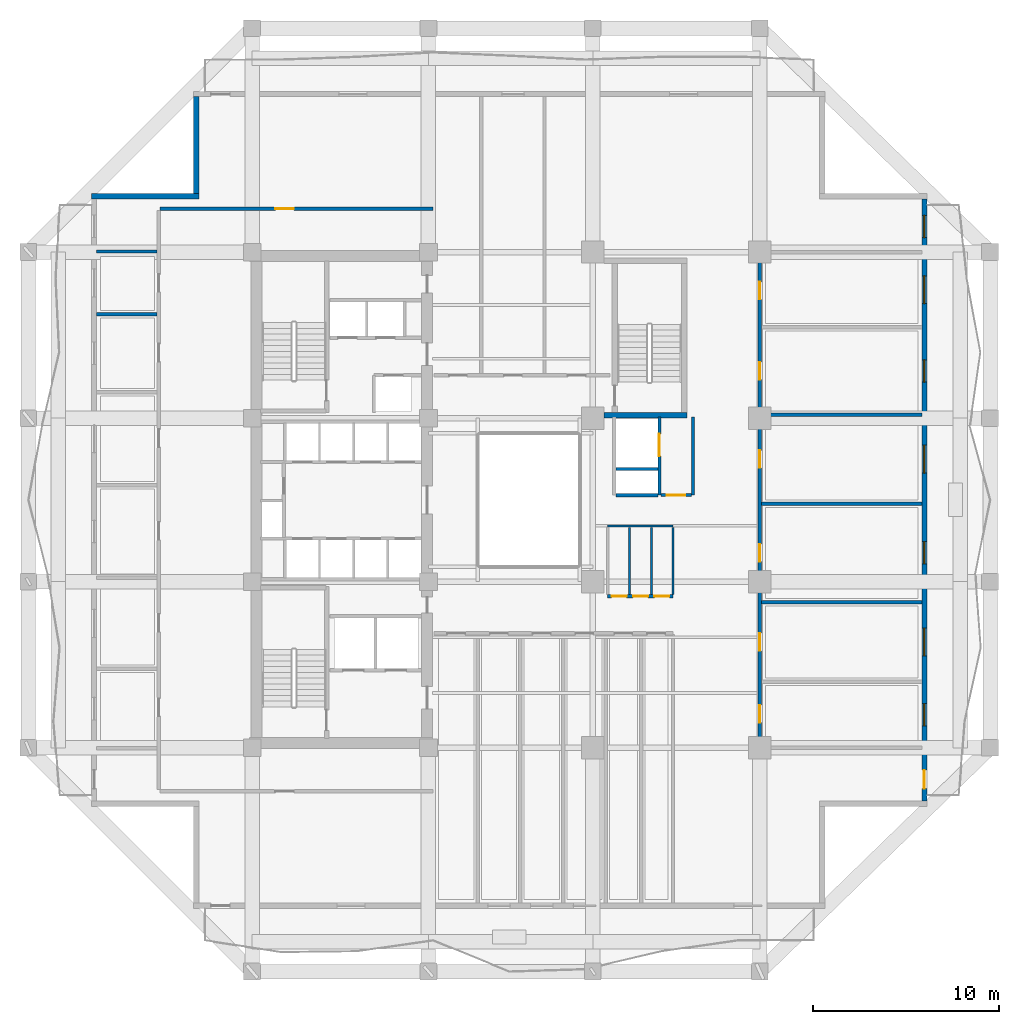
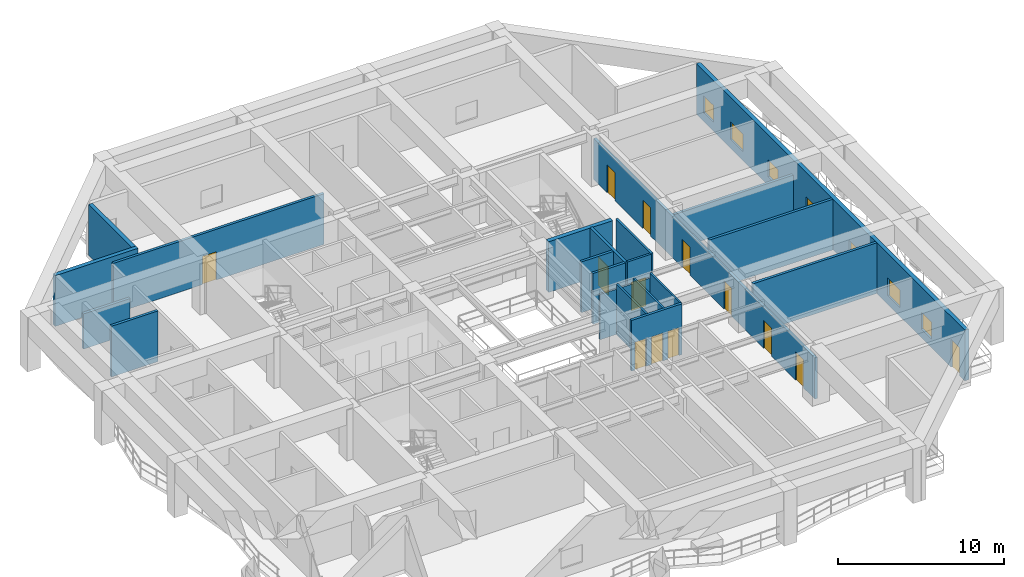
# One storey, part 5 of 13: 21 walls, 13 doors, 7 windows, 20 openings.
"""IFC4 building model written with IfcOpenShell, lengths in metres."""

import ifcopenshell
import ifcopenshell.guid

model = None  # the IFC model being written
_history = None  # IfcOwnerHistory: only IFC2X3 demands one
_inside = {}  # id of a spatial element -> (the spatial element, [elements in it])
_under = {}  # id of a project, library or spatial element -> (it, [spatial elements below it])
_declared = {}  # id of a project -> (the project, [libraries it declares])
_typed = {}  # id of a type object -> (the type object, [elements of that type])
_made_of = {}  # id of a material, layer set ... -> (it, [elements and type objects made of it])


def new_model(schema):
    """Start an empty IFC model of exactly this schema.

    Asked for "IFC4X3", IfcOpenShell would pick the latest addendum, in which some entities
    have other attributes; the version numbers below select the first issue.
    IFC2X3 requires an IfcOwnerHistory on every rooted entity: one is made here for all.
    """
    global model, _history
    if schema == "IFC4X3":
        model = ifcopenshell.file(schema_version=(4, 3, 0, 0))
    else:
        model = ifcopenshell.file(schema=schema)
    _inside.clear()
    _under.clear()
    _declared.clear()
    _typed.clear()
    _made_of.clear()
    _history = None
    if model.schema == "IFC2X3":
        org = make("IfcOrganization", Name="unknown")
        user = make(
            "IfcPersonAndOrganization",
            ThePerson=make("IfcPerson", FamilyName="unknown"),
            TheOrganization=org,
        )
        app = make(
            "IfcApplication",
            ApplicationDeveloper=org,
            Version="unknown",
            ApplicationFullName="unknown",
            ApplicationIdentifier="unknown",
        )
        _history = make(
            "IfcOwnerHistory",
            OwningUser=user,
            OwningApplication=app,
            ChangeAction="ADDED",
            CreationDate=0,
        )
    return model


def make(cls, **values):
    """One entity of the class cls with the attributes given. An attribute that is None is left unset."""
    return model.create_entity(
        cls, **{name: value for name, value in values.items() if value is not None}
    )


def rooted(cls, **values):
    """An entity with a GlobalId (a new one), such as an element, a storey or a relation."""
    return make(cls, GlobalId=ifcopenshell.guid.new(), OwnerHistory=_history, **values)


def si_unit(unit_type, name, prefix=None):
    """IfcSIUnit, for example si_unit("LENGTHUNIT", "METRE", prefix="MILLI")."""
    return make("IfcSIUnit", UnitType=unit_type, Prefix=prefix, Name=name)


def assignment(units):
    """IfcUnitAssignment: the units of a project."""
    return None if units is None else make("IfcUnitAssignment", Units=units)


def point(xyz):
    """IfcCartesianPoint."""
    return None if xyz is None else make("IfcCartesianPoint", Coordinates=xyz)


def direction(xyz):
    """IfcDirection."""
    return None if xyz is None else make("IfcDirection", DirectionRatios=xyz)


def frame(location, z_axis=None, x_axis=None):
    """IfcAxis2Placement3D, a coordinate frame: its origin and axes. An axis left out is left unset."""
    return make(
        "IfcAxis2Placement3D",
        Location=point(location),
        Axis=direction(z_axis),
        RefDirection=direction(x_axis),
    )


def frame_2d(location, x_axis=None):
    """IfcAxis2Placement2D, a coordinate frame in the plane: its origin and x axis."""
    return make(
        "IfcAxis2Placement2D", Location=point(location), RefDirection=direction(x_axis)
    )


def origin():
    """The frame at (0, 0, 0) with its axes left unset."""
    return frame((0.0, 0.0, 0.0))


def place(relative_to, where):
    """IfcLocalPlacement: puts the frame where relative to a parent placement (None: the world)."""
    return make(
        "IfcLocalPlacement", PlacementRelTo=relative_to, RelativePlacement=where
    )


def context(
    kind, dimensions, precision=None, world=None, true_north=None, identifier=None
):
    """IfcGeometricRepresentationContext, for example the 3D "Model" context."""
    return make(
        "IfcGeometricRepresentationContext",
        ContextIdentifier=identifier,
        ContextType=kind,
        CoordinateSpaceDimension=dimensions,
        Precision=precision,
        WorldCoordinateSystem=world,
        TrueNorth=true_north,
    )


def subcontext(parent, identifier, kind, view, scale=None):
    """IfcGeometricRepresentationSubContext, for example "Body" below "Model"."""
    return make(
        "IfcGeometricRepresentationSubContext",
        ContextIdentifier=identifier,
        ContextType=kind,
        ParentContext=parent,
        TargetScale=scale,
        TargetView=view,
    )


def project(units=None, contexts=None):
    """IfcProject with its units and contexts."""
    return rooted(
        "IfcProject",
        Name="project",
        RepresentationContexts=contexts,
        UnitsInContext=assignment(units),
    )


def spatial(cls, under=None, at=None, **own):
    """A site, building, storey or space (cls), placed at a placement, below another one or the project."""
    s = rooted(cls, ObjectPlacement=at, **own)
    if under is not None:
        _under.setdefault(under.id(), (under, []))[1].append(s)
    return s


def profile(cls, at=None, kind="AREA", **sizes):
    """A parametric profile (cls). Its sizes go by their IFC names, for example OverallWidth=200.0."""
    return make(cls, ProfileType=kind, Position=at, **sizes)


def rectangle(**sizes):
    """IfcRectangleProfileDef."""
    return profile("IfcRectangleProfileDef", **sizes)


def extrude(swept, where, along, depth):
    """IfcExtrudedAreaSolid: the profile swept, set in the frame where, extruded along a direction by depth."""
    return make(
        "IfcExtrudedAreaSolid",
        SweptArea=swept,
        Position=where,
        ExtrudedDirection=direction(along),
        Depth=depth,
    )


def shape(context_of_items, identifier, shape_type, items):
    """IfcShapeRepresentation: the items that make up one representation, for example the "Body"."""
    return make(
        "IfcShapeRepresentation",
        ContextOfItems=context_of_items,
        RepresentationIdentifier=identifier,
        RepresentationType=shape_type,
        Items=items,
    )


def material(Name=None, Category=None):
    """IfcMaterial."""
    return make("IfcMaterial", Name=Name, Category=Category)


def layer(
    of_material, thickness, ventilated=None, Name=None, Category=None, Priority=None
):
    """IfcMaterialLayer: one layer of a wall or slab, of a material (None: an air gap)."""
    return make(
        "IfcMaterialLayer",
        Material=of_material,
        LayerThickness=thickness,
        IsVentilated=ventilated,
        Name=Name,
        Category=Category,
        Priority=Priority,
    )


def layer_set(layers, Name=None):
    """IfcMaterialLayerSet."""
    return make("IfcMaterialLayerSet", MaterialLayers=layers, LayerSetName=Name)


def made_of(thing, what):
    """Note that an element or type object is made of a material, layer set ...; save() writes the relation."""
    if what is not None:
        _made_of.setdefault(what.id(), (what, []))[1].append(thing)
    return thing


def type_object(cls, material=None, **own):
    """A type object (cls), such as IfcWallType, which elements share."""
    return made_of(rooted(cls, **own), material)


def element(
    cls,
    number,
    at=None,
    inside=None,
    cuts=None,
    type_object=None,
    material=None,
    context=None,
    identifier="Body",
    shape_type=None,
    held_by="IfcProductDefinitionShape",
    body=None,
    shapes=None,
    **own,
):
    """One element of the class cls, such as IfcWall. Its Tag is "e" and its number.

    at: its placement. inside: the storey or other place that contains it. cuts: it is an
    opening in that element (IfcRelVoidsElement). A single representation is given by context,
    identifier, shape_type and body (its items); several are given by shapes. held_by: the class
    of the entity that holds the representations. save() writes the other relations.
    """
    e = rooted(cls, Tag="e%d" % number, ObjectPlacement=at, **own)
    if body is not None:
        shapes = [shape(context, identifier, shape_type, body)]
    if shapes is not None:
        e.Representation = make(held_by, Representations=shapes)
    if inside is not None:
        _inside.setdefault(inside.id(), (inside, []))[1].append(e)
    if cuts is not None:
        rooted(
            "IfcRelVoidsElement", RelatingBuildingElement=cuts, RelatedOpeningElement=e
        )
    if type_object is not None:
        _typed.setdefault(type_object.id(), (type_object, []))[1].append(e)
    return made_of(e, material)


def fill(opening, filler):
    """IfcRelFillsElement: the door or window that sits in an opening."""
    return rooted(
        "IfcRelFillsElement",
        RelatingOpeningElement=opening,
        RelatedBuildingElement=filler,
    )


def aggregate(whole, parts):
    """IfcRelAggregates: a whole, such as a stair, and the parts it consists of."""
    return rooted("IfcRelAggregates", RelatingObject=whole, RelatedObjects=parts)


def save(model, path):
    """Write the relations noted so far, then the file.

    IfcRelAggregates (storeys below a building ...), IfcRelContainedInSpatialStructure (elements
    in a storey), IfcRelDefinesByType, IfcRelAssociatesMaterial and IfcRelDeclares: one each for
    every whole, place, type object, material and project.
    """
    for whole, parts in _under.values():
        aggregate(whole, parts)
    for where, things in _inside.values():
        rooted(
            "IfcRelContainedInSpatialStructure",
            RelatedElements=things,
            RelatingStructure=where,
        )
    for kind, things in _typed.values():
        rooted("IfcRelDefinesByType", RelatedObjects=things, RelatingType=kind)
    for what, things in _made_of.values():
        rooted("IfcRelAssociatesMaterial", RelatedObjects=things, RelatingMaterial=what)
    for by, libraries in _declared.values():
        rooted("IfcRelDeclares", RelatingContext=by, RelatedDefinitions=libraries)
    model.write(path)


model = new_model("IFC4")

# Units and contexts
model_context = context("Model", 3, precision=1e-05, world=origin(), true_north=direction((0.0, 1.0)))
body_context = subcontext(model_context, "Body", "Model", "MODEL_VIEW")
ifc_project = project(units=[si_unit("LENGTHUNIT", "METRE"), si_unit("AREAUNIT", "SQUARE_METRE"), si_unit("VOLUMEUNIT", "CUBIC_METRE"), si_unit("PLANEANGLEUNIT", "RADIAN"), si_unit("MASSUNIT", "GRAM", prefix="KILO")], contexts=[model_context])

# Site, building, storey
site_placement = place(None, origin())
site = spatial("IfcSite", under=ifc_project, at=site_placement, CompositionType="ELEMENT")
building_placement = place(site_placement, origin())
building = spatial("IfcBuilding", under=site, at=building_placement, Name="Kundavana Baori Tower", CompositionType="ELEMENT")
storey_placement = place(building_placement, frame((0.0, 0.0, 78.0)))
storey = spatial("IfcBuildingStorey", under=building, at=storey_placement, Name="L18", CompositionType="ELEMENT", Elevation=78.0)

# Wall, openings, door, windows
ifc_material_1 = material(Name="Red-Buff Dholpur Sandstone Cladding on Concrete C40/50", Category="masonry")
ifc_layer_1 = layer(ifc_material_1, 0.280029296875, Name="WL-EXT-SAND-280")
ifc_layer_set_1 = layer_set([ifc_layer_1], Name="Red-Buff Dholpur Sandstone Cladding on Concrete C40/50")
wall_type_1 = type_object("IfcWallType", Name="WL-EXT-SAND-280", PredefinedType="STANDARD", material=ifc_layer_set_1)
wall_1_placement = place(storey_placement, frame((51.659912109375, 12.3798828125, 0.0), z_axis=(0.0, 0.0, 1.0), x_axis=(0.0, 1.0, 0.0)))
wall_1 = element("IfcWall", 1, at=wall_1_placement, inside=storey, type_object=wall_type_1, Name="L18 Exterior Insulated Facade Wall 04", PredefinedType="STANDARD", context=body_context, shape_type="SweptSolid", body=[
    extrude(rectangle(XDim=32.440185546875, YDim=0.280029296875, at=frame_2d((16.22021484375, 0.0))), origin(), (0.0, 0.0, 1.0), 3.739990234375),
])
opening_1_placement = place(wall_1_placement, frame((0.669921875, 0.0, 0.0)))
opening_1 = element("IfcOpeningElement", 2, at=opening_1_placement, cuts=wall_1, Name="Opening BD-1", PredefinedType="OPENING", context=body_context, shape_type="SweptSolid", body=[
    extrude(rectangle(XDim=1.0, YDim=2.050048828125, at=frame_2d((0.5, 1.02490234375))), frame((0.0, 0.14990234375, 0.0), z_axis=(0.0, -1.0, 0.0), x_axis=(1.0, 0.0, 0.0)), (0.0, 0.0, 1.0), 0.300048828125),
])
opening_2_placement = place(wall_1_placement, frame((4.044921875, 0.0, 0.64990234375)))
opening_2 = element("IfcOpeningElement", 3, at=opening_2_placement, cuts=wall_1, Name="Opening W-12", PredefinedType="OPENING", context=body_context, shape_type="SweptSolid", body=[
    extrude(rectangle(XDim=1.199951171875, YDim=1.25, at=frame_2d((0.60009765625, 0.625))), frame((0.0, 0.14990234375, 0.0), z_axis=(0.0, -1.0, 0.0), x_axis=(1.0, 0.0, 0.0)), (0.0, 0.0, 1.0), 0.300048828125),
])
opening_3_placement = place(wall_1_placement, frame((7.820068359375, 0.0, 0.64990234375)))
opening_3 = element("IfcOpeningElement", 4, at=opening_3_placement, cuts=wall_1, Name="Opening W-11", PredefinedType="OPENING", context=body_context, shape_type="SweptSolid", body=[
    extrude(rectangle(XDim=1.5, YDim=1.300048828125, at=frame_2d((0.75, 0.64990234375))), frame((0.0, 0.14990234375, 0.0), z_axis=(0.0, -1.0, 0.0), x_axis=(1.0, 0.0, 0.0)), (0.0, 0.0, 1.0), 0.300048828125),
])
opening_4_placement = place(wall_1_placement, frame((12.77001953125, 0.0, 0.64990234375)))
opening_4 = element("IfcOpeningElement", 5, at=opening_4_placement, cuts=wall_1, Name="Opening W-12", PredefinedType="OPENING", context=body_context, shape_type="SweptSolid", body=[
    extrude(rectangle(XDim=1.199951171875, YDim=1.25, at=frame_2d((0.60009765625, 0.625))), frame((0.0, 0.14990234375, 0.0), z_axis=(0.0, -1.0, 0.0), x_axis=(1.0, 0.0, 0.0)), (0.0, 0.0, 1.0), 0.300048828125),
])
opening_5_placement = place(wall_1_placement, frame((17.669921875, 0.0, 0.64990234375)))
opening_5 = element("IfcOpeningElement", 6, at=opening_5_placement, cuts=wall_1, Name="Opening W-11", PredefinedType="OPENING", context=body_context, shape_type="SweptSolid", body=[
    extrude(rectangle(XDim=1.5, YDim=1.300048828125, at=frame_2d((0.75, 0.64990234375))), frame((0.0, 0.14990234375, 0.0), z_axis=(0.0, -1.0, 0.0), x_axis=(1.0, 0.0, 0.0)), (0.0, 0.0, 1.0), 0.300048828125),
])
opening_6_placement = place(wall_1_placement, frame((22.570068359375, 0.0, 0.64990234375)))
opening_6 = element("IfcOpeningElement", 7, at=opening_6_placement, cuts=wall_1, Name="Opening W-12", PredefinedType="OPENING", context=body_context, shape_type="SweptSolid", body=[
    extrude(rectangle(XDim=1.199951171875, YDim=1.25, at=frame_2d((0.60009765625, 0.625))), frame((0.0, 0.14990234375, 0.0), z_axis=(0.0, -1.0, 0.0), x_axis=(1.0, 0.0, 0.0)), (0.0, 0.0, 1.0), 0.300048828125),
])
opening_7_placement = place(wall_1_placement, frame((26.794921875, 0.0, 0.64990234375)))
opening_7 = element("IfcOpeningElement", 8, at=opening_7_placement, cuts=wall_1, Name="Opening W-11", PredefinedType="OPENING", context=body_context, shape_type="SweptSolid", body=[
    extrude(rectangle(XDim=1.5, YDim=1.300048828125, at=frame_2d((0.75, 0.64990234375))), frame((0.0, 0.14990234375, 0.0), z_axis=(0.0, -1.0, 0.0), x_axis=(1.0, 0.0, 0.0)), (0.0, 0.0, 1.0), 0.300048828125),
])
opening_8_placement = place(wall_1_placement, frame((30.35009765625, 0.0, 0.64990234375)))
opening_8 = element("IfcOpeningElement", 9, at=opening_8_placement, cuts=wall_1, Name="Opening W-12", PredefinedType="OPENING", context=body_context, shape_type="SweptSolid", body=[
    extrude(rectangle(XDim=1.199951171875, YDim=1.25, at=frame_2d((0.60009765625, 0.625))), frame((0.0, 0.14990234375, 0.0), z_axis=(0.0, -1.0, 0.0), x_axis=(1.0, 0.0, 0.0)), (0.0, 0.0, 1.0), 0.300048828125),
])
ifc_material_2 = material(Name="Architectural Patinated Bronze Metalwork")
door_type_1 = type_object("IfcDoorType", Name="DR-EXT-LOG-1000", OperationType="NOTDEFINED", PredefinedType="DOOR", material=ifc_material_2)
door_1_placement = place(opening_1_placement, frame((1.0, 0.0, 0.0), z_axis=(0.0, 0.0, 1.0), x_axis=(-1.0, 0.0, 0.0)))
door_1 = element("IfcDoor", 10, at=door_1_placement, inside=storey, type_object=door_type_1, Name="L18 Loggia Balcony Access Door E", OperationType="SINGLE_SWING_RIGHT", OverallHeight=2.050048828125, OverallWidth=1.0, PredefinedType="DOOR", context=body_context, shape_type="SweptSolid", body=[
    extrude(rectangle(XDim=1.0, YDim=2.050048828125, at=frame_2d((0.5, 1.02490234375))), frame((0.0, 0.02490234375, 0.0), z_axis=(0.0, -1.0, 0.0), x_axis=(1.0, 0.0, 0.0)), (0.0, 0.0, 1.0), 0.050048828125),
])
fill(opening_1, door_1)
ifc_material_3 = material(Name="Double-Glazed Solar-Control Low-E Insulated Glass", Category="glass")
window_type_1 = type_object("IfcWindowType", Name="WIN-TRN-1200x1250", PartitioningType="SINGLE_PANEL", PredefinedType="WINDOW", material=ifc_material_3)
window_1_placement = place(opening_2_placement, origin())
window_1 = element("IfcWindow", 11, at=window_1_placement, inside=storey, type_object=window_type_1, Name="L18 Recessed Loggia Window E-2", OverallHeight=1.25, OverallWidth=1.199951171875, PartitioningType="SINGLE_PANEL", PredefinedType="WINDOW", context=body_context, shape_type="SweptSolid", body=[
    extrude(rectangle(XDim=1.199951171875, YDim=1.25, at=frame_2d((0.60009765625, 0.625))), frame((0.0, 0.030029296875, 0.0), z_axis=(0.0, -1.0, 0.0), x_axis=(1.0, 0.0, 0.0)), (0.0, 0.0, 1.0), 0.06005859375),
])
fill(opening_2, window_1)
window_2_placement = place(opening_4_placement, origin())
window_2 = element("IfcWindow", 12, at=window_2_placement, inside=storey, type_object=window_type_1, Name="L18 Recessed Loggia Window E-4", OverallHeight=1.25, OverallWidth=1.199951171875, PartitioningType="SINGLE_PANEL", PredefinedType="WINDOW", context=body_context, shape_type="SweptSolid", body=[
    extrude(rectangle(XDim=1.199951171875, YDim=1.25, at=frame_2d((0.60009765625, 0.625))), frame((0.0, 0.030029296875, 0.0), z_axis=(0.0, -1.0, 0.0), x_axis=(1.0, 0.0, 0.0)), (0.0, 0.0, 1.0), 0.06005859375),
])
fill(opening_4, window_2)
window_3_placement = place(opening_6_placement, origin())
window_3 = element("IfcWindow", 13, at=window_3_placement, inside=storey, type_object=window_type_1, Name="L18 Recessed Loggia Window E-6", OverallHeight=1.25, OverallWidth=1.199951171875, PartitioningType="SINGLE_PANEL", PredefinedType="WINDOW", context=body_context, shape_type="SweptSolid", body=[
    extrude(rectangle(XDim=1.199951171875, YDim=1.25, at=frame_2d((0.60009765625, 0.625))), frame((0.0, 0.030029296875, 0.0), z_axis=(0.0, -1.0, 0.0), x_axis=(1.0, 0.0, 0.0)), (0.0, 0.0, 1.0), 0.06005859375),
])
fill(opening_6, window_3)
window_4_placement = place(opening_8_placement, origin())
window_4 = element("IfcWindow", 14, at=window_4_placement, inside=storey, type_object=window_type_1, Name="L18 Recessed Loggia Window E-8", OverallHeight=1.25, OverallWidth=1.199951171875, PartitioningType="SINGLE_PANEL", PredefinedType="WINDOW", context=body_context, shape_type="SweptSolid", body=[
    extrude(rectangle(XDim=1.199951171875, YDim=1.25, at=frame_2d((0.60009765625, 0.625))), frame((0.0, 0.030029296875, 0.0), z_axis=(0.0, -1.0, 0.0), x_axis=(1.0, 0.0, 0.0)), (0.0, 0.0, 1.0), 0.06005859375),
])
fill(opening_8, window_4)
ifc_material_4 = material(Name="Double-Glazed Solar-Control Low-E Insulated Glass", Category="glass")
window_type_2 = type_object("IfcWindowType", Name="WIN-TRN-1500x1300", PartitioningType="SINGLE_PANEL", PredefinedType="WINDOW", material=ifc_material_4)
window_5_placement = place(opening_3_placement, origin())
window_5 = element("IfcWindow", 15, at=window_5_placement, inside=storey, type_object=window_type_2, Name="L18 Recessed Loggia Window E-3", OverallHeight=1.300048828125, OverallWidth=1.5, PartitioningType="SINGLE_PANEL", PredefinedType="WINDOW", context=body_context, shape_type="SweptSolid", body=[
    extrude(rectangle(XDim=1.5, YDim=1.300048828125, at=frame_2d((0.75, 0.64990234375))), frame((0.0, 0.030029296875, 0.0), z_axis=(0.0, -1.0, 0.0), x_axis=(1.0, 0.0, 0.0)), (0.0, 0.0, 1.0), 0.06005859375),
])
fill(opening_3, window_5)
window_6_placement = place(opening_5_placement, origin())
window_6 = element("IfcWindow", 16, at=window_6_placement, inside=storey, type_object=window_type_2, Name="L18 Recessed Loggia Window E-5", OverallHeight=1.300048828125, OverallWidth=1.5, PartitioningType="SINGLE_PANEL", PredefinedType="WINDOW", context=body_context, shape_type="SweptSolid", body=[
    extrude(rectangle(XDim=1.5, YDim=1.300048828125, at=frame_2d((0.75, 0.64990234375))), frame((0.0, 0.030029296875, 0.0), z_axis=(0.0, -1.0, 0.0), x_axis=(1.0, 0.0, 0.0)), (0.0, 0.0, 1.0), 0.06005859375),
])
fill(opening_5, window_6)
window_7_placement = place(opening_7_placement, origin())
window_7 = element("IfcWindow", 17, at=window_7_placement, inside=storey, type_object=window_type_2, Name="L18 Recessed Loggia Window E-7", OverallHeight=1.300048828125, OverallWidth=1.5, PartitioningType="SINGLE_PANEL", PredefinedType="WINDOW", context=body_context, shape_type="SweptSolid", body=[
    extrude(rectangle(XDim=1.5, YDim=1.300048828125, at=frame_2d((0.75, 0.64990234375))), frame((0.0, 0.030029296875, 0.0), z_axis=(0.0, -1.0, 0.0), x_axis=(1.0, 0.0, 0.0)), (0.0, 0.0, 1.0), 0.06005859375),
])
fill(opening_7, window_7)

# Walls
wall_2_placement = place(storey_placement, frame((12.43994140625, 50.320068359375, 0.0), z_axis=(0.0, 0.0, 1.0), x_axis=(0.0, -1.0, 0.0)))
element("IfcWall", 18, at=wall_2_placement, inside=storey, type_object=wall_type_1, Name="L18 Exterior Insulated Facade Wall 08", PredefinedType="STANDARD", context=body_context, shape_type="SweptSolid", body=[
    extrude(rectangle(XDim=5.219970703125, YDim=0.280029296875, at=frame_2d((2.60986328125, 0.0))), origin(), (0.0, 0.0, 1.0), 3.739990234375),
])
wall_3_placement = place(storey_placement, frame((12.580078125, 44.9599609375, 0.0), z_axis=(0.0, 0.0, 1.0), x_axis=(-1.0, 0.0, 0.0)))
element("IfcWall", 19, at=wall_3_placement, inside=storey, type_object=wall_type_1, Name="L18 Exterior Insulated Facade Wall 09", PredefinedType="STANDARD", context=body_context, shape_type="SweptSolid", body=[
    extrude(rectangle(XDim=5.780029296875, YDim=0.280029296875, at=frame_2d((2.89013671875, 0.0))), origin(), (0.0, 0.0, 1.0), 3.739990234375),
])
ifc_material_5 = material(Name="Fire-Rated Gypsum Drywall on Galvanised Steel Studs", Category="steel")
ifc_layer_2 = layer(ifc_material_5, 0.14990234375, Name="WL-PART-150")
ifc_layer_set_2 = layer_set([ifc_layer_2], Name="Fire-Rated Gypsum Drywall on Galvanised Steel Studs")
wall_type_2 = type_object("IfcWallType", Name="WL-PART-150", PredefinedType="PARTITIONING", material=ifc_layer_set_2)
wall_4_placement = place(storey_placement, frame((39.199951171875, 28.860107421875, 0.0), z_axis=(0.0, 0.0, 1.0), x_axis=(0.0, 1.0, 0.0)))
element("IfcWall", 20, at=wall_4_placement, inside=storey, type_object=wall_type_2, Name="WL-L18-SVLOB-E", PredefinedType="PARTITIONING", context=body_context, shape_type="SweptSolid", body=[
    extrude(rectangle(XDim=4.219970703125, YDim=0.14990234375, at=frame_2d((2.10986328125, 0.0))), origin(), (0.0, 0.0, 1.0), 3.739990234375),
])

# Wall, opening, door
wall_5_placement = place(storey_placement, frame((37.47998046875, 28.860107421875, 0.0), z_axis=(0.0, 0.0, 1.0), x_axis=(1.0, 0.0, 0.0)))
wall_5 = element("IfcWall", 21, at=wall_5_placement, inside=storey, type_object=wall_type_2, Name="WL-L18-SVLOB-S", PredefinedType="PARTITIONING", context=body_context, shape_type="SweptSolid", body=[
    extrude(rectangle(XDim=1.64013671875, YDim=0.14990234375, at=frame_2d((0.820068359375, 0.0))), origin(), (0.0, 0.0, 1.0), 3.739990234375),
])
opening_9_placement = place(wall_5_placement, frame((0.300048828125, 0.0, 0.0)))
opening_9 = element("IfcOpeningElement", 22, at=opening_9_placement, cuts=wall_5, Name="Opening FD-100", PredefinedType="OPENING", context=body_context, shape_type="SweptSolid", body=[
    extrude(rectangle(XDim=1.0, YDim=2.10009765625, at=frame_2d((0.5, 1.050048828125))), frame((0.0, 0.0849609375, 0.0), z_axis=(0.0, -1.0, 0.0), x_axis=(1.0, 0.0, 0.0)), (0.0, 0.0, 1.0), 0.169921875),
])
ifc_material_6 = material(Name="Engineered Teak Fire-Rated Timber Door Leaf", Category="wood")
door_type_2 = type_object("IfcDoorType", Name="DR-FD60-1000", OperationType="NOTDEFINED", PredefinedType="DOOR", material=ifc_material_6)
door_2_placement = place(opening_9_placement, origin())
door_2 = element("IfcDoor", 23, at=door_2_placement, inside=storey, type_object=door_type_2, Name="DR-L18-SVLOB-OUT", OperationType="SINGLE_SWING_LEFT", OverallHeight=2.10009765625, OverallWidth=1.0, PredefinedType="DOOR", context=body_context, shape_type="SweptSolid", body=[
    extrude(rectangle(XDim=1.0, YDim=2.10009765625, at=frame_2d((0.5, 1.050048828125))), frame((0.0, 0.02490234375, 0.0), z_axis=(0.0, -1.0, 0.0), x_axis=(1.0, 0.0, 0.0)), (0.0, 0.0, 1.0), 0.050048828125),
])
fill(opening_9, door_2)

# Wall, openings, doors
ifc_material_7 = material(Name="Autoclaved Aerated Concrete Blockwork Masonry", Category="masonry")
ifc_layer_3 = layer(ifc_material_7, 0.18505859375, Name="WL-PART-180")
ifc_layer_set_3 = layer_set([ifc_layer_3], Name="Autoclaved Aerated Concrete Blockwork Masonry")
wall_type_3 = type_object("IfcWallType", Name="WL-PART-180", PredefinedType="SOLIDWALL", material=ifc_layer_set_3)
wall_6_placement = place(storey_placement, frame((34.60009765625, 23.419921875, 0.0), z_axis=(0.0, 0.0, 1.0), x_axis=(1.0, 0.0, 0.0)))
wall_6 = element("IfcWall", 24, at=wall_6_placement, inside=storey, type_object=wall_type_3, Name="WL-L18-OFST", PredefinedType="SOLIDWALL", context=body_context, shape_type="SweptSolid", body=[
    extrude(rectangle(XDim=3.52001953125, YDim=0.18505859375, at=frame_2d((1.760009765625, 0.0))), origin(), (0.0, 0.0, 1.0), 3.739990234375),
])
opening_10_placement = place(wall_6_placement, frame((0.219970703125, 0.0, 0.0)))
opening_10 = element("IfcOpeningElement", 25, at=opening_10_placement, cuts=wall_6, Name="Opening WD-080", PredefinedType="OPENING", context=body_context, shape_type="SweptSolid", body=[
    extrude(rectangle(XDim=0.800048828125, YDim=2.050048828125, at=frame_2d((0.39990234375, 1.02490234375))), frame((0.0, 0.1025390625, 0.0), z_axis=(0.0, -1.0, 0.0), x_axis=(1.0, 0.0, 0.0)), (0.0, 0.0, 1.0), 0.205078125),
])
opening_11_placement = place(wall_6_placement, frame((1.3798828125, 0.0, 0.0)))
opening_11 = element("IfcOpeningElement", 26, at=opening_11_placement, cuts=wall_6, Name="Opening WD-080", PredefinedType="OPENING", context=body_context, shape_type="SweptSolid", body=[
    extrude(rectangle(XDim=0.800048828125, YDim=2.050048828125, at=frame_2d((0.39990234375, 1.02490234375))), frame((0.0, 0.1025390625, 0.0), z_axis=(0.0, -1.0, 0.0), x_axis=(1.0, 0.0, 0.0)), (0.0, 0.0, 1.0), 0.205078125),
])
opening_12_placement = place(wall_6_placement, frame((2.52001953125, 0.0, 0.0)))
opening_12 = element("IfcOpeningElement", 27, at=opening_12_placement, cuts=wall_6, Name="Opening WD-080", PredefinedType="OPENING", context=body_context, shape_type="SweptSolid", body=[
    extrude(rectangle(XDim=0.800048828125, YDim=2.050048828125, at=frame_2d((0.39990234375, 1.02490234375))), frame((0.0, 0.1025390625, 0.0), z_axis=(0.0, -1.0, 0.0), x_axis=(1.0, 0.0, 0.0)), (0.0, 0.0, 1.0), 0.205078125),
])
ifc_material_8 = material(Name="Engineered Teak Solid-Core Timber Veneer", Category="wood")
door_type_3 = type_object("IfcDoorType", Name="DR-WET-800", OperationType="NOTDEFINED", PredefinedType="DOOR", material=ifc_material_8)
door_3_placement = place(opening_10_placement, origin())
door_3 = element("IfcDoor", 28, at=door_3_placement, inside=storey, type_object=door_type_3, Name="DR-L18-WCM", OperationType="SINGLE_SWING_LEFT", OverallHeight=2.050048828125, OverallWidth=0.800048828125, PredefinedType="DOOR", context=body_context, shape_type="SweptSolid", body=[
    extrude(rectangle(XDim=0.800048828125, YDim=2.050048828125, at=frame_2d((0.39990234375, 1.02490234375))), frame((0.0, 0.02490234375, 0.0), z_axis=(0.0, -1.0, 0.0), x_axis=(1.0, 0.0, 0.0)), (0.0, 0.0, 1.0), 0.050048828125),
])
fill(opening_10, door_3)
door_4_placement = place(opening_11_placement, origin())
door_4 = element("IfcDoor", 29, at=door_4_placement, inside=storey, type_object=door_type_3, Name="DR-L18-WCA", OperationType="SINGLE_SWING_RIGHT", OverallHeight=2.050048828125, OverallWidth=0.800048828125, PredefinedType="DOOR", context=body_context, shape_type="SweptSolid", body=[
    extrude(rectangle(XDim=0.800048828125, YDim=2.050048828125, at=frame_2d((0.39990234375, 1.02490234375))), frame((0.0, 0.02490234375, 0.0), z_axis=(0.0, -1.0, 0.0), x_axis=(1.0, 0.0, 0.0)), (0.0, 0.0, 1.0), 0.050048828125),
])
fill(opening_11, door_4)
door_5_placement = place(opening_12_placement, origin())
door_5 = element("IfcDoor", 30, at=door_5_placement, inside=storey, type_object=door_type_3, Name="DR-L18-PNT", OperationType="SINGLE_SWING_LEFT", OverallHeight=2.050048828125, OverallWidth=0.800048828125, PredefinedType="DOOR", context=body_context, shape_type="SweptSolid", body=[
    extrude(rectangle(XDim=0.800048828125, YDim=2.050048828125, at=frame_2d((0.39990234375, 1.02490234375))), frame((0.0, 0.02490234375, 0.0), z_axis=(0.0, -1.0, 0.0), x_axis=(1.0, 0.0, 0.0)), (0.0, 0.0, 1.0), 0.050048828125),
])
fill(opening_12, door_5)

wall_7_placement = place(storey_placement, frame((42.800048828125, 15.25, 0.0), z_axis=(0.0, 0.0, 1.0), x_axis=(0.0, 1.0, 0.0)))
wall_7 = element("IfcWall", 31, at=wall_7_placement, inside=storey, type_object=wall_type_3, Name="WL-L18-OFE", PredefinedType="SOLIDWALL", context=body_context, shape_type="SweptSolid", body=[
    extrude(rectangle(XDim=26.699951171875, YDim=0.18505859375, at=frame_2d((13.35009765625, 0.0))), origin(), (0.0, 0.0, 1.0), 3.0400390625),
])
opening_13_placement = place(wall_7_placement, frame((1.35009765625, 0.0, 0.0)))
opening_13 = element("IfcOpeningElement", 32, at=opening_13_placement, cuts=wall_7, Name="Opening ID-095", PredefinedType="OPENING", context=body_context, shape_type="SweptSolid", body=[
    extrude(rectangle(XDim=0.949951171875, YDim=2.080078125, at=frame_2d((0.47509765625, 1.0400390625))), frame((0.0, 0.1025390625, 0.0), z_axis=(0.0, -1.0, 0.0), x_axis=(1.0, 0.0, 0.0)), (0.0, 0.0, 1.0), 0.205078125),
])
opening_14_placement = place(wall_7_placement, frame((5.22509765625, 0.0, 0.0)))
opening_14 = element("IfcOpeningElement", 33, at=opening_14_placement, cuts=wall_7, Name="Opening ID-095", PredefinedType="OPENING", context=body_context, shape_type="SweptSolid", body=[
    extrude(rectangle(XDim=0.949951171875, YDim=2.080078125, at=frame_2d((0.47509765625, 1.0400390625))), frame((0.0, 0.1025390625, 0.0), z_axis=(0.0, -1.0, 0.0), x_axis=(1.0, 0.0, 0.0)), (0.0, 0.0, 1.0), 0.205078125),
])
opening_15_placement = place(wall_7_placement, frame((10.02490234375, 0.0, 0.0)))
opening_15 = element("IfcOpeningElement", 34, at=opening_15_placement, cuts=wall_7, Name="Opening ID-095", PredefinedType="OPENING", context=body_context, shape_type="SweptSolid", body=[
    extrude(rectangle(XDim=0.949951171875, YDim=2.080078125, at=frame_2d((0.47509765625, 1.0400390625))), frame((0.0, 0.1025390625, 0.0), z_axis=(0.0, -1.0, 0.0), x_axis=(1.0, 0.0, 0.0)), (0.0, 0.0, 1.0), 0.205078125),
])
opening_16_placement = place(wall_7_placement, frame((15.074951171875, 0.0, 0.0)))
opening_16 = element("IfcOpeningElement", 35, at=opening_16_placement, cuts=wall_7, Name="Opening ID-095", PredefinedType="OPENING", context=body_context, shape_type="SweptSolid", body=[
    extrude(rectangle(XDim=0.949951171875, YDim=2.080078125, at=frame_2d((0.47509765625, 1.0400390625))), frame((0.0, 0.1025390625, 0.0), z_axis=(0.0, -1.0, 0.0), x_axis=(1.0, 0.0, 0.0)), (0.0, 0.0, 1.0), 0.205078125),
])
opening_17_placement = place(wall_7_placement, frame((19.824951171875, 0.0, 0.0)))
opening_17 = element("IfcOpeningElement", 36, at=opening_17_placement, cuts=wall_7, Name="Opening ID-095", PredefinedType="OPENING", context=body_context, shape_type="SweptSolid", body=[
    extrude(rectangle(XDim=0.949951171875, YDim=2.080078125, at=frame_2d((0.47509765625, 1.0400390625))), frame((0.0, 0.1025390625, 0.0), z_axis=(0.0, -1.0, 0.0), x_axis=(1.0, 0.0, 0.0)), (0.0, 0.0, 1.0), 0.205078125),
])
opening_18_placement = place(wall_7_placement, frame((24.14990234375, 0.0, 0.0)))
opening_18 = element("IfcOpeningElement", 37, at=opening_18_placement, cuts=wall_7, Name="Opening ID-095", PredefinedType="OPENING", context=body_context, shape_type="SweptSolid", body=[
    extrude(rectangle(XDim=0.949951171875, YDim=2.080078125, at=frame_2d((0.47509765625, 1.0400390625))), frame((0.0, 0.1025390625, 0.0), z_axis=(0.0, -1.0, 0.0), x_axis=(1.0, 0.0, 0.0)), (0.0, 0.0, 1.0), 0.205078125),
])
ifc_material_9 = material(Name="Engineered Teak Solid-Core Timber Veneer", Category="wood")
door_type_4 = type_object("IfcDoorType", Name="DR-INT-950", OperationType="NOTDEFINED", PredefinedType="DOOR", material=ifc_material_9)
door_6_placement = place(opening_13_placement, origin())
door_6 = element("IfcDoor", 38, at=door_6_placement, inside=storey, type_object=door_type_4, Name="DR-L18-OFE1", OperationType="SINGLE_SWING_RIGHT", OverallHeight=2.080078125, OverallWidth=0.949951171875, PredefinedType="DOOR", context=body_context, shape_type="SweptSolid", body=[
    extrude(rectangle(XDim=0.949951171875, YDim=2.080078125, at=frame_2d((0.47509765625, 1.0400390625))), frame((0.0, 0.02490234375, 0.0), z_axis=(0.0, -1.0, 0.0), x_axis=(1.0, 0.0, 0.0)), (0.0, 0.0, 1.0), 0.050048828125),
])
fill(opening_13, door_6)
door_7_placement = place(opening_14_placement, origin())
door_7 = element("IfcDoor", 39, at=door_7_placement, inside=storey, type_object=door_type_4, Name="DR-L18-OFE2", OperationType="SINGLE_SWING_LEFT", OverallHeight=2.080078125, OverallWidth=0.949951171875, PredefinedType="DOOR", context=body_context, shape_type="SweptSolid", body=[
    extrude(rectangle(XDim=0.949951171875, YDim=2.080078125, at=frame_2d((0.47509765625, 1.0400390625))), frame((0.0, 0.02490234375, 0.0), z_axis=(0.0, -1.0, 0.0), x_axis=(1.0, 0.0, 0.0)), (0.0, 0.0, 1.0), 0.050048828125),
])
fill(opening_14, door_7)
door_8_placement = place(opening_15_placement, origin())
door_8 = element("IfcDoor", 40, at=door_8_placement, inside=storey, type_object=door_type_4, Name="DR-L18-OFE3", OperationType="SINGLE_SWING_RIGHT", OverallHeight=2.080078125, OverallWidth=0.949951171875, PredefinedType="DOOR", context=body_context, shape_type="SweptSolid", body=[
    extrude(rectangle(XDim=0.949951171875, YDim=2.080078125, at=frame_2d((0.47509765625, 1.0400390625))), frame((0.0, 0.02490234375, 0.0), z_axis=(0.0, -1.0, 0.0), x_axis=(1.0, 0.0, 0.0)), (0.0, 0.0, 1.0), 0.050048828125),
])
fill(opening_15, door_8)
door_9_placement = place(opening_16_placement, origin())
door_9 = element("IfcDoor", 41, at=door_9_placement, inside=storey, type_object=door_type_4, Name="DR-L18-OFE4", OperationType="SINGLE_SWING_LEFT", OverallHeight=2.080078125, OverallWidth=0.949951171875, PredefinedType="DOOR", context=body_context, shape_type="SweptSolid", body=[
    extrude(rectangle(XDim=0.949951171875, YDim=2.080078125, at=frame_2d((0.47509765625, 1.0400390625))), frame((0.0, 0.02490234375, 0.0), z_axis=(0.0, -1.0, 0.0), x_axis=(1.0, 0.0, 0.0)), (0.0, 0.0, 1.0), 0.050048828125),
])
fill(opening_16, door_9)
door_10_placement = place(opening_17_placement, origin())
door_10 = element("IfcDoor", 42, at=door_10_placement, inside=storey, type_object=door_type_4, Name="DR-L18-OFE5", OperationType="SINGLE_SWING_RIGHT", OverallHeight=2.080078125, OverallWidth=0.949951171875, PredefinedType="DOOR", context=body_context, shape_type="SweptSolid", body=[
    extrude(rectangle(XDim=0.949951171875, YDim=2.080078125, at=frame_2d((0.47509765625, 1.0400390625))), frame((0.0, 0.02490234375, 0.0), z_axis=(0.0, -1.0, 0.0), x_axis=(1.0, 0.0, 0.0)), (0.0, 0.0, 1.0), 0.050048828125),
])
fill(opening_17, door_10)
door_11_placement = place(opening_18_placement, origin())
door_11 = element("IfcDoor", 43, at=door_11_placement, inside=storey, type_object=door_type_4, Name="DR-L18-OFE6", OperationType="SINGLE_SWING_LEFT", OverallHeight=2.080078125, OverallWidth=0.949951171875, PredefinedType="DOOR", context=body_context, shape_type="SweptSolid", body=[
    extrude(rectangle(XDim=0.949951171875, YDim=2.080078125, at=frame_2d((0.47509765625, 1.0400390625))), frame((0.0, 0.02490234375, 0.0), z_axis=(0.0, -1.0, 0.0), x_axis=(1.0, 0.0, 0.0)), (0.0, 0.0, 1.0), 0.050048828125),
])
fill(opening_18, door_11)

# Wall
wall_8_placement = place(storey_placement, frame((7.080078125, 41.97998046875, 0.0), z_axis=(0.0, 0.0, 1.0), x_axis=(1.0, 0.0, 0.0)))
element("IfcWall", 44, at=wall_8_placement, inside=storey, type_object=wall_type_3, Name="WL-L18-OWN", PredefinedType="SOLIDWALL", context=body_context, shape_type="SweptSolid", body=[
    extrude(rectangle(XDim=3.260009765625, YDim=0.18505859375, at=frame_2d((1.6298828125, 0.0))), origin(), (0.0, 0.0, 1.0), 2.60009765625),
])

# Wall, opening, door
wall_9_placement = place(storey_placement, frame((10.5, 44.280029296875, 0.0), z_axis=(0.0, 0.0, 1.0), x_axis=(1.0, 0.0, 0.0)))
wall_9 = element("IfcWall", 45, at=wall_9_placement, inside=storey, type_object=wall_type_3, Name="WL-L18-ONC", PredefinedType="SOLIDWALL", context=body_context, shape_type="SweptSolid", body=[
    extrude(rectangle(XDim=14.699951171875, YDim=0.18505859375, at=frame_2d((7.35009765625, 0.0))), origin(), (0.0, 0.0, 1.0), 3.739990234375),
])
opening_19_placement = place(wall_9_placement, frame((6.199951171875, 0.0, 0.0)))
opening_19 = element("IfcOpeningElement", 46, at=opening_19_placement, cuts=wall_9, Name="Opening ID-100", PredefinedType="OPENING", context=body_context, shape_type="SweptSolid", body=[
    extrude(rectangle(XDim=1.0, YDim=2.080078125, at=frame_2d((0.5, 1.0400390625))), frame((0.0, 0.1025390625, 0.0), z_axis=(0.0, -1.0, 0.0), x_axis=(1.0, 0.0, 0.0)), (0.0, 0.0, 1.0), 0.205078125),
])
ifc_material_10 = material(Name="Engineered Teak Solid-Core Timber Veneer", Category="wood")
door_type_5 = type_object("IfcDoorType", Name="DR-INT-1000", OperationType="NOTDEFINED", PredefinedType="DOOR", material=ifc_material_10)
door_12_placement = place(opening_19_placement, origin())
door_12 = element("IfcDoor", 47, at=door_12_placement, inside=storey, type_object=door_type_5, Name="DR-L18-ONWC", OperationType="SINGLE_SWING_RIGHT", OverallHeight=2.080078125, OverallWidth=1.0, PredefinedType="DOOR", context=body_context, shape_type="SweptSolid", body=[
    extrude(rectangle(XDim=1.0, YDim=2.080078125, at=frame_2d((0.5, 1.0400390625))), frame((0.0, 0.02490234375, 0.0), z_axis=(0.0, -1.0, 0.0), x_axis=(1.0, 0.0, 0.0)), (0.0, 0.0, 1.0), 0.050048828125),
])
fill(opening_19, door_12)

# Walls
wall_10_placement = place(storey_placement, frame((7.080078125, 38.60009765625, 0.0), z_axis=(0.0, 0.0, 1.0), x_axis=(1.0, 0.0, 0.0)))
element("IfcWall", 48, at=wall_10_placement, inside=storey, type_object=wall_type_3, Name="WL-L18-WD5", PredefinedType="SOLIDWALL", context=body_context, shape_type="SweptSolid", body=[
    extrude(rectangle(XDim=3.260009765625, YDim=0.18505859375, at=frame_2d((1.6298828125, 0.0))), origin(), (0.0, 0.0, 1.0), 3.739990234375),
])
for number, where, z_axis, x_axis, name in (
    (49, (42.8798828125, 23.10009765625, 0.0), (0.0, 0.0, 1.0), (1.0, 0.0, 0.0), "WL-L18-ED2"),
    (50, (42.8798828125, 28.39990234375, 0.0), (0.0, 0.0, 1.0), (1.0, 0.0, 0.0), "WL-L18-ED3"),
):
    element("IfcWall", number, at=place(storey_placement, frame(where, z_axis=z_axis, x_axis=x_axis)), inside=storey, type_object=wall_type_3, Name=name, PredefinedType="SOLIDWALL", context=body_context, shape_type="SweptSolid", body=[
        extrude(rectangle(XDim=8.64013671875, YDim=0.18505859375, at=frame_2d((4.320068359375, 0.0))), origin(), (0.0, 0.0, 1.0), 3.739990234375),
    ])
wall_11_placement = place(storey_placement, frame((42.8798828125, 33.199951171875, 0.0), z_axis=(0.0, 0.0, 1.0), x_axis=(1.0, 0.0, 0.0)))
element("IfcWall", 51, at=wall_11_placement, inside=storey, type_object=wall_type_3, Name="WL-L18-ED4", PredefinedType="SOLIDWALL", context=body_context, shape_type="SweptSolid", body=[
    extrude(rectangle(XDim=8.64013671875, YDim=0.18505859375, at=frame_2d((4.320068359375, 0.0))), origin(), (0.0, 0.0, 1.0), 2.60009765625),
])

# Wall, opening, door
ifc_material_11 = material(Name="Autoclaved Aerated Concrete Blockwork Masonry", Category="masonry")
ifc_layer_4 = layer(ifc_material_11, 0.179931640625, Name="WL-SHAFT-180")
ifc_layer_set_4 = layer_set([ifc_layer_4], Name="Autoclaved Aerated Concrete Blockwork Masonry")
wall_type_4 = type_object("IfcWallType", Name="WL-SHAFT-180", PredefinedType="SOLIDWALL", material=ifc_layer_set_4)
wall_12_placement = place(storey_placement, frame((37.389892578125, 28.860107421875, 0.0), z_axis=(0.0, 0.0, 1.0), x_axis=(0.0, 1.0, 0.0)))
wall_12 = element("IfcWall", 52, at=wall_12_placement, inside=storey, type_object=wall_type_4, Name="WL-L18-SVL-E", PredefinedType="SOLIDWALL", context=body_context, shape_type="SweptSolid", body=[
    extrude(rectangle(XDim=4.219970703125, YDim=0.179931640625, at=frame_2d((2.10986328125, 0.0))), origin(), (0.0, 0.0, 1.0), 3.739990234375),
])
opening_20_placement = place(wall_12_placement, frame((2.10009765625, 0.0, 0.0)))
opening_20 = element("IfcOpeningElement", 53, at=opening_20_placement, cuts=wall_12, Name="Opening LD-120", PredefinedType="OPENING", context=body_context, shape_type="SweptSolid", body=[
    extrude(rectangle(XDim=1.199951171875, YDim=2.1201171875, at=frame_2d((0.60009765625, 1.06005859375))), frame((0.0, 0.10009765625, 0.0), z_axis=(0.0, -1.0, 0.0), x_axis=(1.0, 0.0, 0.0)), (0.0, 0.0, 1.0), 0.199951171875),
])
ifc_material_12 = material(Name="Galvanised Steel Fire-Rated Door Leaf", Category="steel")
door_type_6 = type_object("IfcDoorType", Name="DR-SLIDE-LD1200", OperationType="NOTDEFINED", PredefinedType="DOOR", material=ifc_material_12)
door_13_placement = place(opening_20_placement, frame((1.199951171875, 0.0, 0.0), z_axis=(0.0, 0.0, 1.0), x_axis=(-1.0, 0.0, 0.0)))
door_13 = element("IfcDoor", 54, at=door_13_placement, inside=storey, type_object=door_type_6, Name="DR-L18-LD-SVL1", OperationType="DOUBLE_DOOR_SLIDING", OverallHeight=2.1201171875, OverallWidth=1.199951171875, PredefinedType="DOOR", context=body_context, shape_type="SweptSolid", body=[
    extrude(rectangle(XDim=1.199951171875, YDim=2.1201171875, at=frame_2d((0.60009765625, 1.06005859375))), frame((0.0, 0.02490234375, 0.0), z_axis=(0.0, -1.0, 0.0), x_axis=(1.0, 0.0, 0.0)), (0.0, 0.0, 1.0), 0.050048828125),
])
fill(opening_20, door_13)

# Walls
for number, where, z_axis, x_axis, name in (
    (55, (35.050048828125, 28.860107421875, 0.0), (0.0, 0.0, 1.0), (1.0, 0.0, 0.0), "WL-L18-SVL-S"),
    (56, (35.050048828125, 30.27001953125, 0.0), (0.0, 0.0, 1.0), (1.0, 0.0, 0.0), "WL-L18-SVL-M"),
):
    element("IfcWall", number, at=place(storey_placement, frame(where, z_axis=z_axis, x_axis=x_axis)), inside=storey, type_object=wall_type_4, Name=name, PredefinedType="SOLIDWALL", context=body_context, shape_type="SweptSolid", body=[
        extrude(rectangle(XDim=2.25, YDim=0.179931640625, at=frame_2d((1.125, 0.0))), origin(), (0.0, 0.0, 1.0), 3.739990234375),
    ])
ifc_material_13 = material(Name="Concrete C50/60", Category="concrete")
ifc_layer_5 = layer(ifc_material_13, 0.300048828125, Name="WL-ST3-300")
ifc_layer_set_5 = layer_set([ifc_layer_5], Name="Concrete C50/60")
wall_type_5 = type_object("IfcWallType", Name="WL-ST3-300", PredefinedType="SHEAR", material=ifc_layer_set_5)
wall_13_placement = place(storey_placement, frame((34.39990234375, 33.159912109375, 0.0), z_axis=(0.0, 0.0, 1.0), x_axis=(1.0, 0.0, 0.0)))
element("IfcWall", 57, at=wall_13_placement, inside=storey, type_object=wall_type_5, Name="L18 Stair ST3 South Shear Wall", PredefinedType="SHEAR", context=body_context, shape_type="SweptSolid", body=[
    extrude(rectangle(XDim=4.47021484375, YDim=0.300048828125, at=frame_2d((2.235107421875, 0.0))), origin(), (0.0, 0.0, 1.0), 3.739990234375),
])
ifc_material_14 = material(Name="Autoclaved Aerated Concrete Blockwork Masonry", Category="masonry")
ifc_layer_6 = layer(ifc_material_14, 0.125, Name="WL-WET-120")
ifc_layer_set_6 = layer_set([ifc_layer_6], Name="Autoclaved Aerated Concrete Blockwork Masonry")
wall_type_6 = type_object("IfcWallType", Name="WL-WET-120", PredefinedType="PLUMBINGWALL", material=ifc_layer_set_6)
wall_14_placement = place(storey_placement, frame((34.60009765625, 27.199951171875, 0.0), z_axis=(0.0, 0.0, 1.0), x_axis=(1.0, 0.0, 0.0)))
element("IfcWall", 58, at=wall_14_placement, inside=storey, type_object=wall_type_6, Name="WL-L18-WCN", PredefinedType="PLUMBINGWALL", context=body_context, shape_type="SweptSolid", body=[
    extrude(rectangle(XDim=3.52001953125, YDim=0.125, at=frame_2d((1.760009765625, 0.0))), origin(), (0.0, 0.0, 1.0), 3.340087890625),
])
for number, where, z_axis, x_axis, name in (
    (59, (38.1201171875, 23.5, 0.0), (0.0, 0.0, 1.0), (0.0, 1.0, 0.0), "WL-L18-WCE"),
    (60, (35.780029296875, 23.5, 0.0), (0.0, 0.0, 1.0), (0.0, 1.0, 0.0), "WL-L18-WCD1"),
    (61, (36.9599609375, 23.5, 0.0), (0.0, 0.0, 1.0), (0.0, 1.0, 0.0), "WL-L18-WCD2"),
):
    element("IfcWall", number, at=place(storey_placement, frame(where, z_axis=z_axis, x_axis=x_axis)), inside=storey, type_object=wall_type_6, Name=name, PredefinedType="PLUMBINGWALL", context=body_context, shape_type="SweptSolid", body=[
        extrude(rectangle(XDim=3.6201171875, YDim=0.125, at=frame_2d((1.81005859375, 0.0))), origin(), (0.0, 0.0, 1.0), 3.739990234375),
    ])

save(model, "model.ifc")
